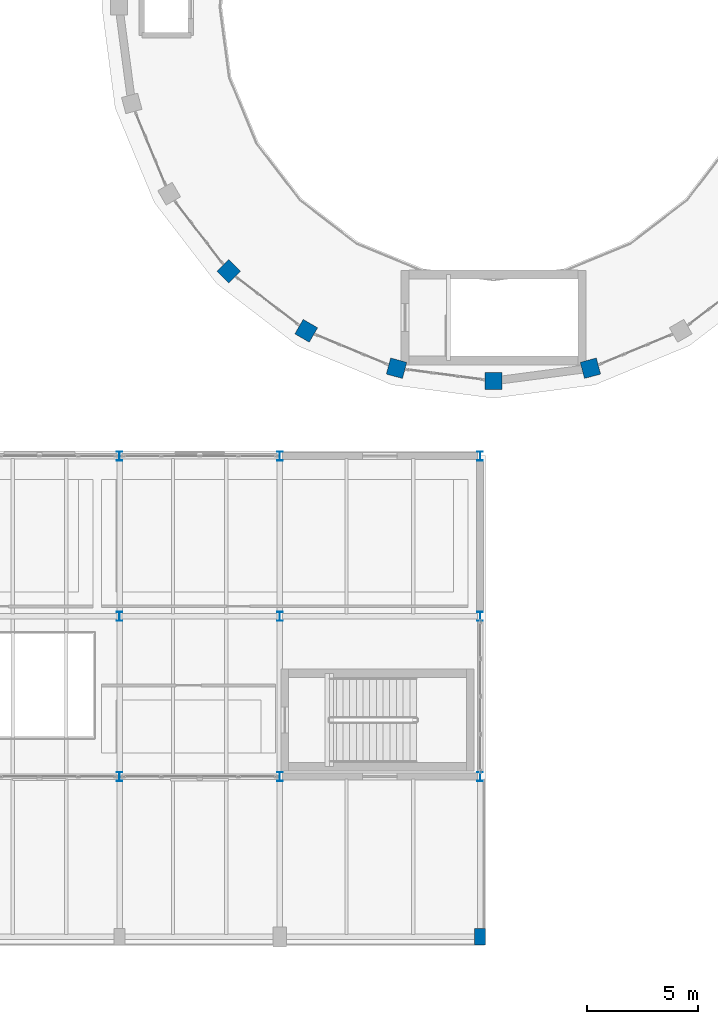
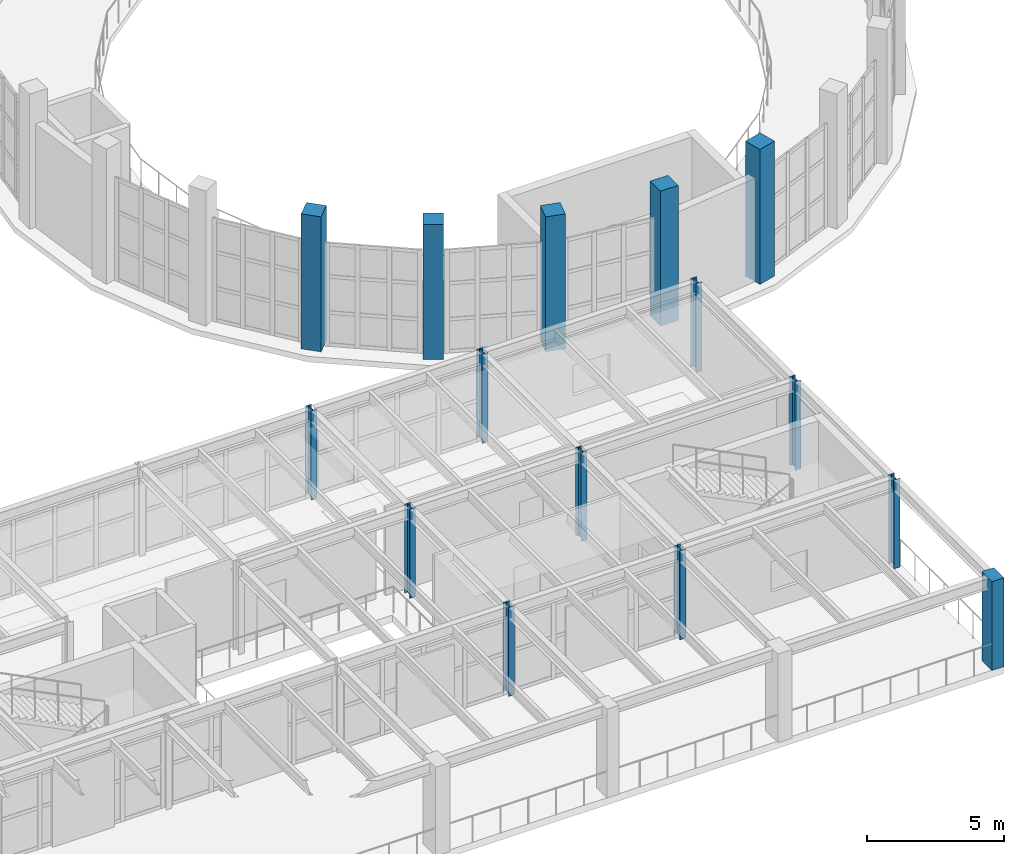
# One storey, part 4 of 59: 15 columns.
"""IFC4 building model written with IfcOpenShell, lengths in metres."""

from ifc_helpers import new_model, si_unit, direction, frame, origin, origin_2d, place, context, subcontext, project, spatial, rectangle, i_section, extrude, material, material_profile, profile_set, type_object, element, save


model = new_model("IFC4")

# Units and contexts
model_context = context("Model", 3, precision=1e-05, world=origin(), true_north=direction((0.0, 1.0)))
body_context = subcontext(model_context, "Body", "Model", "MODEL_VIEW")
ifc_project = project(units=[si_unit("LENGTHUNIT", "METRE"), si_unit("AREAUNIT", "SQUARE_METRE"), si_unit("VOLUMEUNIT", "CUBIC_METRE"), si_unit("PLANEANGLEUNIT", "RADIAN"), si_unit("MASSUNIT", "GRAM", prefix="KILO")], contexts=[model_context])

# Site, building, storey
site_placement = place(None, origin())
site = spatial("IfcSite", under=ifc_project, at=site_placement, CompositionType="ELEMENT")
building_placement = place(site_placement, origin())
building = spatial("IfcBuilding", under=site, at=building_placement, Name="Kandorven Conservatory and Botanical Research Centre", CompositionType="ELEMENT")
storey_placement = place(building_placement, frame((0.0, 0.0, 4.800048828125)))
storey = spatial("IfcBuildingStorey", under=building, at=storey_placement, Name="L01", CompositionType="ELEMENT", Elevation=4.800048828125)

# Columns
ifc_material_1 = material(Name="Concrete C40/50 (M50)", Category="concrete")
ifc_material_profile_1 = material_profile(ifc_material_1, rectangle(XDim=0.5, YDim=0.75, at=origin_2d()))
ifc_profile_set_1 = profile_set([ifc_material_profile_1], Name="Concrete C40/50 (M50)")
column_type_1 = type_object("IfcColumnType", Name="Col_AC-01", PredefinedType="PILASTER", material=ifc_profile_set_1)
column_placement = place(storey_placement, frame((87.0, 6.0, 0.0), z_axis=(0.0, 0.0, 1.0), x_axis=(1.0, 0.0, 0.0)))
element("IfcColumn", 1, at=column_placement, inside=storey, type_object=column_type_1, Name="Column AC-01 VIS L01 (7,1)", PredefinedType="PILASTER", context=body_context, shape_type="SweptSolid", body=[
    extrude(rectangle(XDim=0.5, YDim=0.75, at=origin_2d()), origin(), (0.0, 0.0, 1.0), 3.949951171875),
])
ifc_material_2 = material(Name="Concrete C40/50 (M50)", Category="concrete")
ifc_material_profile_2 = material_profile(ifc_material_2, rectangle(XDim=0.75, YDim=0.75, at=origin_2d()))
ifc_profile_set_2 = profile_set([ifc_material_profile_2], Name="Concrete C40/50 (M50)")
column_type_2 = type_object("IfcColumnType", Name="Col_DC-01", PredefinedType="COLUMN", material=ifc_profile_set_2)
for number, where, z_axis, x_axis, name in (
    (2, (75.702880859375, 35.90283203125, 0.0), (0.0, 0.0, 1.0), (-0.707106781187, -0.707106781187, 0.0), "Conservatory drum radial pier DC-01 L01 R16"),
    (3, (79.1875, 33.22900390625, 0.0), (0.0, 0.0, 1.0), (-0.5, -0.866025403784, 0.0), "Conservatory drum radial pier DC-01 L01 R17"),
    (4, (83.245361328125, 31.54833984375, 0.0), (0.0, 0.0, 1.0), (-0.258819045103, -0.965925826289, 0.0), "Conservatory drum radial pier DC-01 L01 R18"),
    (5, (87.60009765625, 30.97509765625, 0.0), (0.0, 0.0, 1.0), (0.0, -1.0, 0.0), "Conservatory drum radial pier DC-01 L01 R19"),
    (6, (91.95458984375, 31.54833984375, 0.0), (0.0, 0.0, 1.0), (0.258819045103, -0.965925826289, 0.0), "Conservatory drum radial pier DC-01 L01 R20"),
):
    element("IfcColumn", number, at=place(storey_placement, frame(where, z_axis=z_axis, x_axis=x_axis)), inside=storey, type_object=column_type_2, Name=name, PredefinedType="COLUMN", context=body_context, shape_type="SweptSolid", body=[
        extrude(rectangle(XDim=0.75, YDim=0.75, at=origin_2d()), origin(), (0.0, 0.0, 1.0), 6.0),
    ])
ifc_material_3 = material(Name="Steel S355 (IS 2062 E350)", Category="steel")
ifc_material_profile_3 = material_profile(ifc_material_3, i_section(OverallWidth=0.25, OverallDepth=0.39990234375, WebThickness=0.010498046875, FlangeThickness=0.0126953125, at=origin_2d()))
ifc_profile_set_3 = profile_set([ifc_material_profile_3], Name="Steel S355 (IS 2062 E350)")
column_type_3 = type_object("IfcColumnType", Name="Col_SC-02", PredefinedType="COLUMN", material=ifc_profile_set_3)
for number, where, z_axis, x_axis, name in (
    (7, (70.800048828125, 13.199951171875, 0.0), (0.0, 0.0, 1.0), (1.0, 0.0, 0.0), "Column SC-02 VIS L01 (5,2)"),
    (8, (70.800048828125, 20.39990234375, 0.0), (0.0, 0.0, 1.0), (1.0, 0.0, 0.0), "Column SC-02 VIS L01 (5,3)"),
    (9, (70.800048828125, 27.60009765625, 0.0), (0.0, 0.0, 1.0), (1.0, 0.0, 0.0), "Column SC-02 VIS L01 (5,4)"),
    (10, (78.0, 13.199951171875, 0.0), (0.0, 0.0, 1.0), (1.0, 0.0, 0.0), "Column SC-02 VIS L01 (6,2)"),
    (11, (78.0, 20.39990234375, 0.0), (0.0, 0.0, 1.0), (1.0, 0.0, 0.0), "Column SC-02 VIS L01 (6,3)"),
    (12, (78.0, 27.60009765625, 0.0), (0.0, 0.0, 1.0), (1.0, 0.0, 0.0), "Column SC-02 VIS L01 (6,4)"),
    (13, (87.0, 13.199951171875, 0.0), (0.0, 0.0, 1.0), (1.0, 0.0, 0.0), "Column SC-02 VIS L01 (7,2)"),
    (14, (87.0, 20.39990234375, 0.0), (0.0, 0.0, 1.0), (1.0, 0.0, 0.0), "Column SC-02 VIS L01 (7,3)"),
    (15, (87.0, 27.60009765625, 0.0), (0.0, 0.0, 1.0), (1.0, 0.0, 0.0), "Column SC-02 VIS L01 (7,4)"),
):
    element("IfcColumn", number, at=place(storey_placement, frame(where, z_axis=z_axis, x_axis=x_axis)), inside=storey, type_object=column_type_3, Name=name, PredefinedType="COLUMN", context=body_context, shape_type="SweptSolid", body=[
        extrude(i_section(OverallWidth=0.25, OverallDepth=0.39990234375, WebThickness=0.010498046875, FlangeThickness=0.0126953125, at=origin_2d()), origin(), (0.0, 0.0, 1.0), 3.949951171875),
    ])

save(model, "model.ifc")
